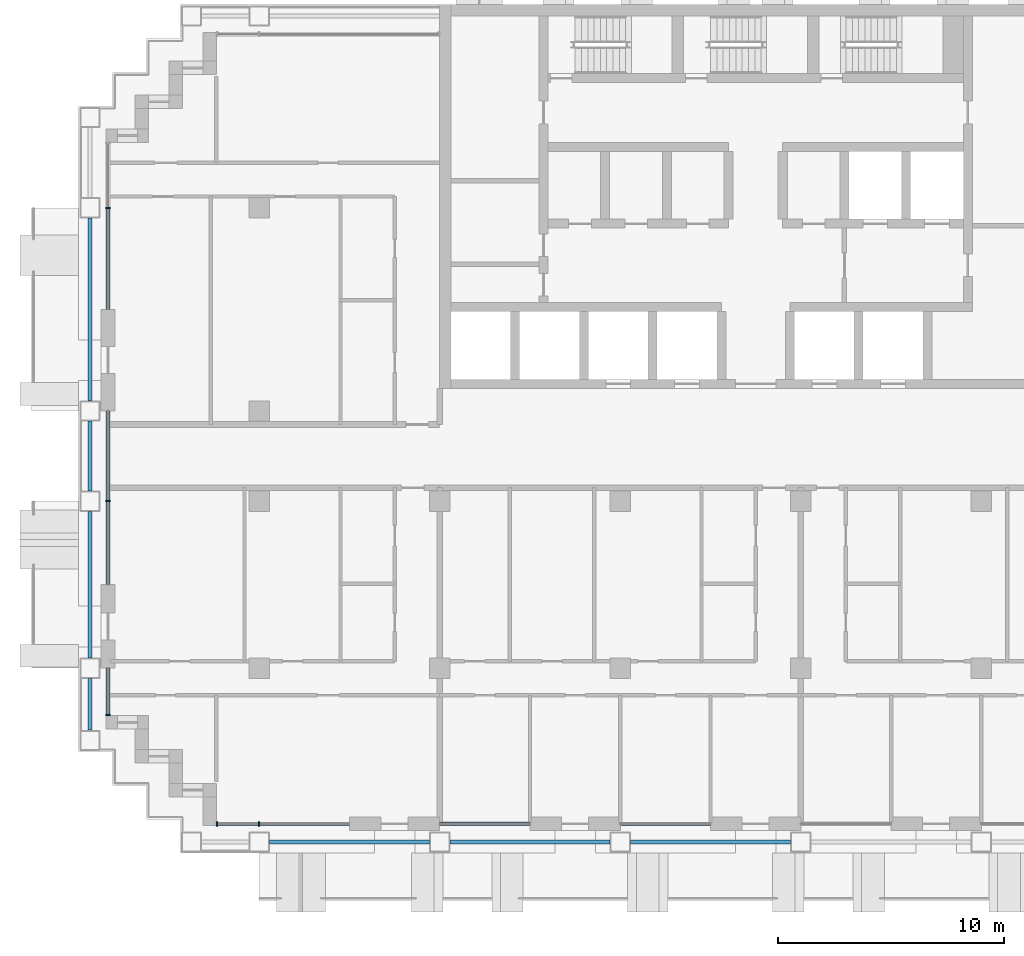
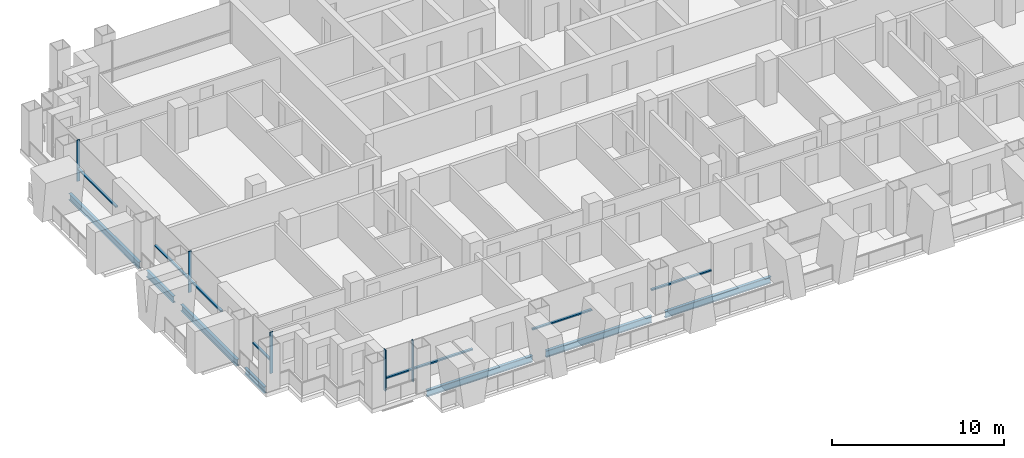
# One storey, part 2 of 18: 13 members, 7 beams, 6 elements without a shape of their own.
"""IFC4 building model written with IfcOpenShell, lengths in metres."""

from ifc_helpers import new_model, si_unit, direction, frame, origin, origin_2d, place, context, subcontext, project, spatial, rectangle, i_section, extrude, material, material_profile, profile_set, type_object, element, aggregate, save


model = new_model("IFC4")

# Units and contexts
model_context = context("Model", 3, precision=1e-05, world=origin(), true_north=direction((0.0, 1.0)))
body_context = subcontext(model_context, "Body", "Model", "MODEL_VIEW")
ifc_project = project(units=[si_unit("LENGTHUNIT", "METRE"), si_unit("AREAUNIT", "SQUARE_METRE"), si_unit("VOLUMEUNIT", "CUBIC_METRE"), si_unit("PLANEANGLEUNIT", "RADIAN"), si_unit("MASSUNIT", "GRAM", prefix="KILO")], contexts=[model_context])

# Site, building, storey
site_placement = place(None, origin())
site = spatial("IfcSite", under=ifc_project, at=site_placement, CompositionType="ELEMENT")
building_placement = place(site_placement, origin())
building = spatial("IfcBuilding", under=site, at=building_placement, Name="Vidyagriha Tower", CompositionType="ELEMENT")
storey_placement = place(building_placement, frame((0.0, 0.0, 90.300048828125)))
storey = spatial("IfcBuildingStorey", under=building, at=storey_placement, Name="L23", CompositionType="ELEMENT", Elevation=90.300048828125)

# Beams
ifc_material_1 = material(Name="Steel ASTM A992 Grade 50", Category="steel")
ifc_material_profile_1 = material_profile(ifc_material_1, i_section(OverallWidth=0.19189453125, OverallDepth=0.46240234375, WebThickness=0.010498046875, FlangeThickness=0.017578125, at=origin_2d()), Name="W18X60")
ifc_profile_set_1 = profile_set([ifc_material_profile_1], Name="Steel ASTM A992 Grade 50")
beam_type = type_object("IfcBeamType", Name="Edge beam W18X60", PredefinedType="SPANDREL", material=ifc_profile_set_1)
for number, where, z_axis, x_axis, name in (
    (1, (-21.550048828125, -17.10009765625, -0.51123046875), (1.0, 0.0, 0.0), (0.0, 1.0, 0.0), "st-beam-L23-S02"),
    (2, (-13.550048828125, -17.10009765625, -0.51123046875), (1.0, 0.0, 0.0), (0.0, 1.0, 0.0), "st-beam-L23-S03"),
    (3, (-5.550048828125, -17.10009765625, -0.51123046875), (1.0, 0.0, 0.0), (0.0, 1.0, 0.0), "st-beam-L23-S04"),
):
    element("IfcBeam", number, at=place(storey_placement, frame(where, z_axis=z_axis, x_axis=x_axis)), inside=storey, type_object=beam_type, Name=name, PredefinedType="SPANDREL", context=body_context, shape_type="SweptSolid", body=[
        extrude(i_section(OverallWidth=0.19189453125, OverallDepth=0.46240234375, WebThickness=0.010498046875, FlangeThickness=0.017578125, at=origin_2d()), origin(), (0.0, 0.0, 1.0), 7.10009765625),
    ])
beam_1_placement = place(storey_placement, frame((-29.5, -12.14990234375, -0.51123046875), z_axis=(0.0, 1.0, 0.0), x_axis=(-1.0, 0.0, 0.0)))
element("IfcBeam", 4, at=beam_1_placement, inside=storey, type_object=beam_type, Name="st-beam-L23-W10", PredefinedType="SPANDREL", context=body_context, shape_type="SweptSolid", body=[
    extrude(i_section(OverallWidth=0.19189453125, OverallDepth=0.46240234375, WebThickness=0.010498046875, FlangeThickness=0.017578125, at=origin_2d()), origin(), (0.0, 0.0, 1.0), 2.2998046875),
])
beam_2_placement = place(storey_placement, frame((-29.5, -8.949951171875, -0.51123046875), z_axis=(0.0, 1.0, 0.0), x_axis=(-1.0, 0.0, 0.0)))
element("IfcBeam", 5, at=beam_2_placement, inside=storey, type_object=beam_type, Name="st-beam-L23-W11", PredefinedType="SPANDREL", context=body_context, shape_type="SweptSolid", body=[
    extrude(i_section(OverallWidth=0.19189453125, OverallDepth=0.46240234375, WebThickness=0.010498046875, FlangeThickness=0.017578125, at=origin_2d()), origin(), (0.0, 0.0, 1.0), 6.5),
])
beam_3_placement = place(storey_placement, frame((-29.5, -1.550048828125, -0.51123046875), z_axis=(0.0, 1.0, 0.0), x_axis=(-1.0, 0.0, 0.0)))
element("IfcBeam", 6, at=beam_3_placement, inside=storey, type_object=beam_type, Name="st-beam-L23-W12", PredefinedType="SPANDREL", context=body_context, shape_type="SweptSolid", body=[
    extrude(i_section(OverallWidth=0.19189453125, OverallDepth=0.46240234375, WebThickness=0.010498046875, FlangeThickness=0.017578125, at=origin_2d()), origin(), (0.0, 0.0, 1.0), 3.10009765625),
])
beam_4_placement = place(storey_placement, frame((-29.5, 2.449951171875, -0.51123046875), z_axis=(0.0, 1.0, 0.0), x_axis=(-1.0, 0.0, 0.0)))
element("IfcBeam", 7, at=beam_4_placement, inside=storey, type_object=beam_type, Name="st-beam-L23-W13", PredefinedType="SPANDREL", context=body_context, shape_type="SweptSolid", body=[
    extrude(i_section(OverallWidth=0.19189453125, OverallDepth=0.46240234375, WebThickness=0.010498046875, FlangeThickness=0.017578125, at=origin_2d()), origin(), (0.0, 0.0, 1.0), 8.10009765625),
])

# Curtain wall, member
ifc_material_2 = material(Name="Aluminium and glass curtain wall", Category="aluminium")
curtain_wall_type = type_object("IfcCurtainWallType", Name="Dwelling skin unitised curtain wall", PredefinedType="USERDEFINED", material=ifc_material_2)
curtain_wall_1_placement = place(storey_placement, origin())
curtain_wall_1 = element("IfcCurtainWall", 8, at=curtain_wall_1_placement, inside=storey, type_object=curtain_wall_type, Name="CW1 dwelling skin", ObjectType="UNITISED", PredefinedType="USERDEFINED")
ifc_material_3 = material(Name="Aluminium black anodised", Category="aluminium")
ifc_material_profile_2 = material_profile(ifc_material_3, rectangle(XDim=0.199951171875, YDim=0.070068359375, at=origin_2d()), Name="Mullion 70x200 black aluminium")
ifc_profile_set_2 = profile_set([ifc_material_profile_2], Name="Aluminium black anodised")
member_type_1 = type_object("IfcMemberType", Name="Mullion 70x200 black aluminium", PredefinedType="MULLION", material=ifc_profile_set_2)
member_1_placement = place(storey_placement, frame((-28.699951171875, 11.0, 0.0)))
member_1 = element("IfcMember", 9, at=member_1_placement, type_object=member_type_1, Name="CW1 mullion 2", PredefinedType="MULLION", context=body_context, shape_type="SweptSolid", body=[
    extrude(rectangle(XDim=0.199951171875, YDim=0.070068359375, at=origin_2d()), origin(), (0.0, 0.0, 1.0), 2.919921875),
])

curtain_wall_2_placement = place(storey_placement, origin())
curtain_wall_2 = element("IfcCurtainWall", 10, at=curtain_wall_2_placement, inside=storey, type_object=curtain_wall_type, Name="CW1 dwelling skin", ObjectType="UNITISED", PredefinedType="USERDEFINED")
member_2_placement = place(storey_placement, frame((-28.699951171875, -2.0, 0.0)))
member_2 = element("IfcMember", 11, at=member_2_placement, type_object=member_type_1, Name="CW1 mullion 2", PredefinedType="MULLION", context=body_context, shape_type="SweptSolid", body=[
    extrude(rectangle(XDim=0.199951171875, YDim=0.070068359375, at=origin_2d()), origin(), (0.0, 0.0, 1.0), 2.919921875),
])

curtain_wall_3_placement = place(storey_placement, origin())
curtain_wall_3 = element("IfcCurtainWall", 12, at=curtain_wall_3_placement, inside=storey, type_object=curtain_wall_type, Name="CW1 dwelling skin", ObjectType="UNITISED", PredefinedType="USERDEFINED")
member_3_placement = place(storey_placement, frame((-28.699951171875, -11.465087890625, 0.0)))
member_3 = element("IfcMember", 13, at=member_3_placement, type_object=member_type_1, Name="CW1 mullion 2", PredefinedType="MULLION", context=body_context, shape_type="SweptSolid", body=[
    extrude(rectangle(XDim=0.199951171875, YDim=0.070068359375, at=origin_2d()), origin(), (0.0, 0.0, 1.0), 2.919921875),
])

# Curtain wall, members
curtain_wall_4_placement = place(storey_placement, origin())
curtain_wall_4 = element("IfcCurtainWall", 14, at=curtain_wall_4_placement, inside=storey, type_object=curtain_wall_type, Name="CW1 dwelling skin", ObjectType="UNITISED", PredefinedType="USERDEFINED")
member_4_placement = place(storey_placement, frame((-23.864990234375, -16.300048828125, 0.0), z_axis=(0.0, 0.0, 1.0), x_axis=(0.0, 1.0, 0.0)))
member_4 = element("IfcMember", 15, at=member_4_placement, type_object=member_type_1, Name="CW1 mullion 1", PredefinedType="MULLION", context=body_context, shape_type="SweptSolid", body=[
    extrude(rectangle(XDim=0.199951171875, YDim=0.070068359375, at=origin_2d()), origin(), (0.0, 0.0, 1.0), 2.919921875),
])
member_5_placement = place(storey_placement, frame((-22.0, -16.300048828125, 0.0), z_axis=(0.0, 0.0, 1.0), x_axis=(0.0, 1.0, 0.0)))
member_5 = element("IfcMember", 16, at=member_5_placement, type_object=member_type_1, Name="CW1 mullion 2", PredefinedType="MULLION", context=body_context, shape_type="SweptSolid", body=[
    extrude(rectangle(XDim=0.199951171875, YDim=0.070068359375, at=origin_2d()), origin(), (0.0, 0.0, 1.0), 2.919921875),
])

# Member
ifc_material_4 = material(Name="Aluminium black anodised", Category="aluminium")
ifc_material_profile_3 = material_profile(ifc_material_4, rectangle(XDim=0.159912109375, YDim=0.10009765625, at=origin_2d()), Name="Transom 100x160 black aluminium")
ifc_profile_set_3 = profile_set([ifc_material_profile_3], Name="Aluminium black anodised")
member_type_2 = type_object("IfcMemberType", Name="Transom 100x160 black aluminium", PredefinedType="USERDEFINED", material=ifc_profile_set_3)
member_6_placement = place(storey_placement, frame((-28.699951171875, 10.965087890625, 0.89990234375), z_axis=(0.0, -1.0, 0.0), x_axis=(1.0, 0.0, 0.0)))
member_6 = element("IfcMember", 17, at=member_6_placement, type_object=member_type_2, Name="CW1 transom 2.1", ObjectType="TRANSOM", PredefinedType="USERDEFINED", context=body_context, shape_type="SweptSolid", body=[
    extrude(rectangle(XDim=0.159912109375, YDim=0.10009765625, at=origin_2d()), origin(), (0.0, 0.0, 1.0), 4.465087890625),
])

aggregate(curtain_wall_1, [member_1, member_6])

member_7_placement = place(storey_placement, frame((-28.699951171875, 2.0, 0.89990234375), z_axis=(0.0, -1.0, 0.0), x_axis=(1.0, 0.0, 0.0)))
member_7 = element("IfcMember", 18, at=member_7_placement, type_object=member_type_2, Name="CW1 transom 1.1", ObjectType="TRANSOM", PredefinedType="USERDEFINED", context=body_context, shape_type="SweptSolid", body=[
    extrude(rectangle(XDim=0.159912109375, YDim=0.10009765625, at=origin_2d()), origin(), (0.0, 0.0, 1.0), 3.965087890625),
])

member_8_placement = place(storey_placement, frame((-28.699951171875, -2.034912109375, 0.89990234375), z_axis=(0.0, -1.0, 0.0), x_axis=(1.0, 0.0, 0.0)))
member_8 = element("IfcMember", 19, at=member_8_placement, type_object=member_type_2, Name="CW1 transom 2.1", ObjectType="TRANSOM", PredefinedType="USERDEFINED", context=body_context, shape_type="SweptSolid", body=[
    extrude(rectangle(XDim=0.159912109375, YDim=0.10009765625, at=origin_2d()), origin(), (0.0, 0.0, 1.0), 3.6650390625),
])

aggregate(curtain_wall_2, [member_2, member_7, member_8])

member_9_placement = place(storey_placement, frame((-28.699951171875, -9.39990234375, 0.89990234375), z_axis=(0.0, -1.0, 0.0), x_axis=(1.0, 0.0, 0.0)))
member_9 = element("IfcMember", 20, at=member_9_placement, type_object=member_type_2, Name="CW1 transom 1.1", ObjectType="TRANSOM", PredefinedType="USERDEFINED", context=body_context, shape_type="SweptSolid", body=[
    extrude(rectangle(XDim=0.159912109375, YDim=0.10009765625, at=origin_2d()), origin(), (0.0, 0.0, 1.0), 2.030029296875),
])

aggregate(curtain_wall_3, [member_3, member_9])

member_10_placement = place(storey_placement, frame((-23.830078125, -16.300048828125, 0.89990234375), z_axis=(1.0, 0.0, 0.0), x_axis=(0.0, 1.0, 0.0)))
member_10 = element("IfcMember", 21, at=member_10_placement, type_object=member_type_2, Name="CW1 transom 1.1", ObjectType="TRANSOM", PredefinedType="USERDEFINED", context=body_context, shape_type="SweptSolid", body=[
    extrude(rectangle(XDim=0.159912109375, YDim=0.10009765625, at=origin_2d()), origin(), (0.0, 0.0, 1.0), 1.795166015625),
])

member_11_placement = place(storey_placement, frame((-21.965087890625, -16.300048828125, 0.89990234375), z_axis=(1.0, 0.0, 0.0), x_axis=(0.0, 1.0, 0.0)))
member_11 = element("IfcMember", 22, at=member_11_placement, type_object=member_type_2, Name="CW1 transom 2.1", ObjectType="TRANSOM", PredefinedType="USERDEFINED", context=body_context, shape_type="SweptSolid", body=[
    extrude(rectangle(XDim=0.159912109375, YDim=0.10009765625, at=origin_2d()), origin(), (0.0, 0.0, 1.0), 3.965087890625),
])

aggregate(curtain_wall_4, [member_4, member_5, member_10, member_11])

# Curtain wall, member
curtain_wall_5_placement = place(storey_placement, origin())
curtain_wall_5 = element("IfcCurtainWall", 23, at=curtain_wall_5_placement, inside=storey, type_object=curtain_wall_type, Name="CW1 dwelling skin", ObjectType="UNITISED", PredefinedType="USERDEFINED")
member_12_placement = place(storey_placement, frame((-14.0, -16.300048828125, 0.89990234375), z_axis=(1.0, 0.0, 0.0), x_axis=(0.0, 1.0, 0.0)))
member_12 = element("IfcMember", 24, at=member_12_placement, type_object=member_type_2, Name="CW1 transom 1.1", ObjectType="TRANSOM", PredefinedType="USERDEFINED", context=body_context, shape_type="SweptSolid", body=[
    extrude(rectangle(XDim=0.159912109375, YDim=0.10009765625, at=origin_2d()), origin(), (0.0, 0.0, 1.0), 4.0),
])
aggregate(curtain_wall_5, [member_12])

curtain_wall_6_placement = place(storey_placement, origin())
curtain_wall_6 = element("IfcCurtainWall", 25, at=curtain_wall_6_placement, inside=storey, type_object=curtain_wall_type, Name="CW1 dwelling skin", ObjectType="UNITISED", PredefinedType="USERDEFINED")
member_13_placement = place(storey_placement, frame((-6.0, -16.300048828125, 0.89990234375), z_axis=(1.0, 0.0, 0.0), x_axis=(0.0, 1.0, 0.0)))
member_13 = element("IfcMember", 26, at=member_13_placement, type_object=member_type_2, Name="CW1 transom 1.1", ObjectType="TRANSOM", PredefinedType="USERDEFINED", context=body_context, shape_type="SweptSolid", body=[
    extrude(rectangle(XDim=0.159912109375, YDim=0.10009765625, at=origin_2d()), origin(), (0.0, 0.0, 1.0), 4.0),
])
aggregate(curtain_wall_6, [member_13])

save(model, "model.ifc")
